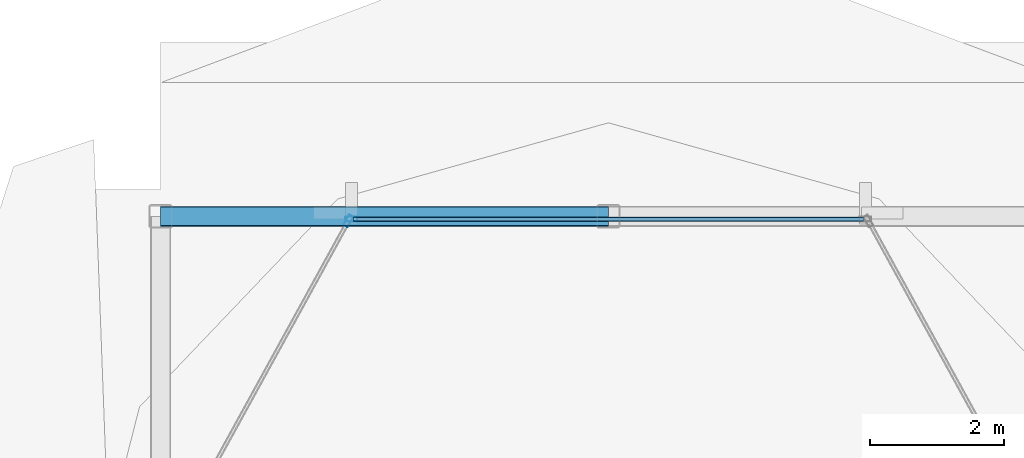
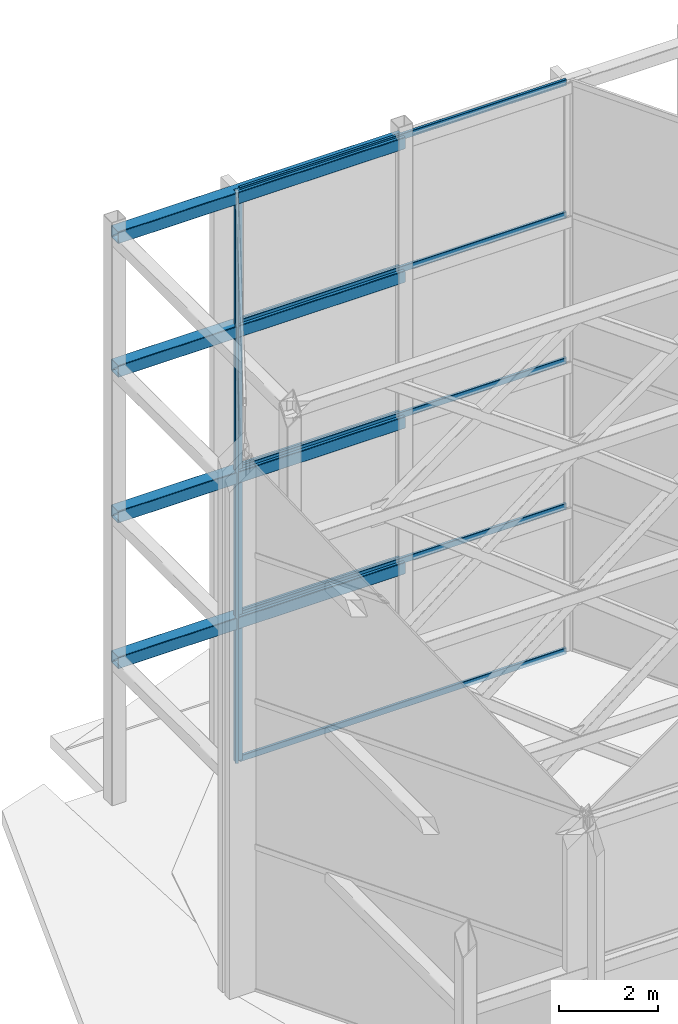
# One storey, part 20 of 24: 7 members, 4 beams, 2 elements without a shape of their own.
"""IFC4 building model written with IfcOpenShell, lengths in metres."""

from ifc_helpers import new_model, si_unit, direction, frame, origin, origin_2d, place, context, subcontext, project, spatial, hollow_rectangle, extrude, material, layer, layer_set, material_profile, profile_set, type_object, element, aggregate, save


model = new_model("IFC4")

# Units and contexts
model_context = context("Model", 3, precision=1e-05, world=origin(), true_north=direction((0.0, 1.0)))
body_context = subcontext(model_context, "Body", "Model", "MODEL_VIEW")
ifc_project = project(units=[si_unit("LENGTHUNIT", "METRE"), si_unit("AREAUNIT", "SQUARE_METRE"), si_unit("VOLUMEUNIT", "CUBIC_METRE"), si_unit("PLANEANGLEUNIT", "RADIAN"), si_unit("MASSUNIT", "GRAM", prefix="KILO")], contexts=[model_context])

# Site, building, storey
site_placement = place(None, origin())
site = spatial("IfcSite", under=ifc_project, at=site_placement, CompositionType="ELEMENT")
building_placement = place(site_placement, origin())
building = spatial("IfcBuilding", under=site, at=building_placement, Name="Solvaryn Broadcast Tower", CompositionType="ELEMENT")
storey_placement = place(building_placement, frame((0.0, 0.0, 307.800048828125)))
storey = spatial("IfcBuildingStorey", under=building, at=storey_placement, Name="Roof Main", CompositionType="ELEMENT", Elevation=307.800048828125)

# Beams
ifc_material_1 = material(Name="Steel ASTM A500 Grade C", Category="steel")
ifc_material_profile_1 = material_profile(ifc_material_1, hollow_rectangle(XDim=0.300048828125, YDim=0.300048828125, WallThickness=0.01416015625, InnerFilletRadius=0.01416015625, OuterFilletRadius=0.0283203125, at=origin_2d()))
ifc_profile_set_1 = profile_set([ifc_material_profile_1], Name="Steel ASTM A500 Grade C")
beam_type = type_object("IfcBeamType", Name="BM-CROWN-RING", PredefinedType="BEAM", material=ifc_profile_set_1)
for number, where, z_axis, x_axis, name in (
    (1, (17.89990234375, 42.39990234375, 3.449951171875), (-1.0, 0.0, 0.0), (0.0, -1.0, 0.0), "Roof Main CROWN FRAME Ring Beam WT1-6"),
    (2, (17.89990234375, 42.39990234375, 7.050048828125), (-1.0, 0.0, 0.0), (0.0, -1.0, 0.0), "Roof Main CROWN FRAME Ring Beam WT2-6"),
    (3, (17.89990234375, 42.39990234375, 10.64990234375), (-1.0, 0.0, 0.0), (0.0, -1.0, 0.0), "Roof Main CROWN FRAME Ring Beam WT3-6"),
    (4, (17.89990234375, 42.39990234375, 13.949951171875), (-1.0, 0.0, 0.0), (0.0, -1.0, 0.0), "Roof Main CROWN FRAME Ring Beam WT4-6"),
):
    element("IfcBeam", number, at=place(storey_placement, frame(where, z_axis=z_axis, x_axis=x_axis)), inside=storey, type_object=beam_type, Name=name, PredefinedType="BEAM", context=body_context, shape_type="SweptSolid", body=[
        extrude(hollow_rectangle(XDim=0.300048828125, YDim=0.300048828125, WallThickness=0.01416015625, InnerFilletRadius=0.01416015625, OuterFilletRadius=0.0283203125, at=origin_2d()), origin(), (0.0, 0.0, 1.0), 6.699951171875),
    ])

# Curtain wall, member
ifc_material_2 = material(Name="Aluminium and Terracotta Unitised Curtain Wall", Category="masonry")
ifc_layer = layer(ifc_material_2, 0.2099609375)
ifc_layer_set = layer_set([ifc_layer], Name="CW-SYS6-CROWN")
curtain_wall_type = type_object("IfcCurtainWallType", Name="CW-SYS6-CROWN", PredefinedType="NOTDEFINED", material=ifc_layer_set)
curtain_wall_1_placement = place(storey_placement, origin())
curtain_wall_1 = element("IfcCurtainWall", 5, at=curtain_wall_1_placement, inside=storey, type_object=curtain_wall_type, Name="Roof Main Split-Top Crown Curtain Wall W2", PredefinedType="NOTDEFINED")
ifc_material_3 = material(Name="Anodised Aluminium 6063-T6", Category="aluminium")
ifc_material_profile_2 = material_profile(ifc_material_3, hollow_rectangle(XDim=0.074951171875, YDim=0.179931640625, WallThickness=0.00390625, InnerFilletRadius=0.00390625, OuterFilletRadius=0.008056640625, at=origin_2d()))
ifc_profile_set_2 = profile_set([ifc_material_profile_2], Name="Anodised Aluminium 6063-T6")
member_type_1 = type_object("IfcMemberType", Name="CW-MUL-180", PredefinedType="MULLION", material=ifc_profile_set_2)
member_1_placement = place(storey_placement, frame((14.054931640625, 42.35791015625, 0.0), z_axis=(0.0, 0.0, 1.0), x_axis=(0.0, -1.0, 0.0)))
member_1 = element("IfcMember", 6, at=member_1_placement, type_object=member_type_1, Name="CWS6 mullion 2", PredefinedType="MULLION", context=body_context, shape_type="SweptSolid", body=[
    extrude(hollow_rectangle(XDim=0.074951171875, YDim=0.179931640625, WallThickness=0.00390625, InnerFilletRadius=0.00390625, OuterFilletRadius=0.008056640625, at=origin_2d()), origin(), (0.0, 0.0, 1.0), 14.099853515625),
])

curtain_wall_2_placement = place(storey_placement, origin())
curtain_wall_2 = element("IfcCurtainWall", 7, at=curtain_wall_2_placement, inside=storey, type_object=curtain_wall_type, Name="Roof Main Split-Top Crown Curtain Wall W3", PredefinedType="NOTDEFINED")
member_2_placement = place(storey_placement, frame((14.010498046875, 42.331787109375, 0.0), z_axis=(0.0, 0.0, 1.0), x_axis=(0.876577523452, -0.481260683391, 0.0)))
member_2 = element("IfcMember", 8, at=member_2_placement, type_object=member_type_1, Name="CWS6 mullion 1", PredefinedType="MULLION", context=body_context, shape_type="SweptSolid", body=[
    extrude(hollow_rectangle(XDim=0.074951171875, YDim=0.179931640625, WallThickness=0.00390625, InnerFilletRadius=0.00390625, OuterFilletRadius=0.008056640625, at=origin_2d()), origin(), (0.0, 0.0, 1.0), 14.099853515625),
])
aggregate(curtain_wall_2, [member_2])

# Member
ifc_material_4 = material(Name="Anodised Aluminium 6063-T6", Category="aluminium")
ifc_material_profile_3 = material_profile(ifc_material_4, hollow_rectangle(XDim=0.06494140625, YDim=0.14990234375, WallThickness=0.00390625, InnerFilletRadius=0.00390625, OuterFilletRadius=0.008056640625, at=origin_2d()))
ifc_profile_set_3 = profile_set([ifc_material_profile_3], Name="Anodised Aluminium 6063-T6")
member_type_2 = type_object("IfcMemberType", Name="CW-TRN-150", PredefinedType="USERDEFINED", material=ifc_profile_set_3)
member_3_placement = place(storey_placement, frame((21.715087890625, 42.35791015625, 0.030029296875), z_axis=(-1.0, 0.0, 0.0), x_axis=(0.0, -1.0, 0.0)))
member_3 = element("IfcMember", 9, at=member_3_placement, type_object=member_type_2, Name="CWS6 transom 1.1", ObjectType="TRANSOM", PredefinedType="USERDEFINED", context=body_context, shape_type="SweptSolid", body=[
    extrude(hollow_rectangle(XDim=0.06494140625, YDim=0.14990234375, WallThickness=0.00390625, InnerFilletRadius=0.00390625, OuterFilletRadius=0.008056640625, at=origin_2d()), origin(), (0.0, 0.0, 1.0), 7.630126953125),
])

member_4_placement = place(storey_placement, frame((21.715087890625, 42.35791015625, 3.599853515625), z_axis=(-1.0, 0.0, 0.0), x_axis=(0.0, -1.0, 0.0)))
member_4 = element("IfcMember", 10, at=member_4_placement, type_object=member_type_2, Name="CWS6 transom 1.2", ObjectType="TRANSOM", PredefinedType="USERDEFINED", context=body_context, shape_type="SweptSolid", body=[
    extrude(hollow_rectangle(XDim=0.06494140625, YDim=0.14990234375, WallThickness=0.00390625, InnerFilletRadius=0.00390625, OuterFilletRadius=0.008056640625, at=origin_2d()), origin(), (0.0, 0.0, 1.0), 7.630126953125),
])

member_5_placement = place(storey_placement, frame((21.715087890625, 42.35791015625, 7.199951171875), z_axis=(-1.0, 0.0, 0.0), x_axis=(0.0, -1.0, 0.0)))
member_5 = element("IfcMember", 11, at=member_5_placement, type_object=member_type_2, Name="CWS6 transom 1.3", ObjectType="TRANSOM", PredefinedType="USERDEFINED", context=body_context, shape_type="SweptSolid", body=[
    extrude(hollow_rectangle(XDim=0.06494140625, YDim=0.14990234375, WallThickness=0.00390625, InnerFilletRadius=0.00390625, OuterFilletRadius=0.008056640625, at=origin_2d()), origin(), (0.0, 0.0, 1.0), 7.630126953125),
])

member_6_placement = place(storey_placement, frame((21.715087890625, 42.35791015625, 10.800048828125), z_axis=(-1.0, 0.0, 0.0), x_axis=(0.0, -1.0, 0.0)))
member_6 = element("IfcMember", 12, at=member_6_placement, type_object=member_type_2, Name="CWS6 transom 1.4", ObjectType="TRANSOM", PredefinedType="USERDEFINED", context=body_context, shape_type="SweptSolid", body=[
    extrude(hollow_rectangle(XDim=0.06494140625, YDim=0.14990234375, WallThickness=0.00390625, InnerFilletRadius=0.00390625, OuterFilletRadius=0.008056640625, at=origin_2d()), origin(), (0.0, 0.0, 1.0), 7.630126953125),
])

member_7_placement = place(storey_placement, frame((21.715087890625, 42.35791015625, 14.070068359375), z_axis=(-1.0, 0.0, 0.0), x_axis=(0.0, -1.0, 0.0)))
member_7 = element("IfcMember", 13, at=member_7_placement, type_object=member_type_2, Name="CWS6 transom 1.5", ObjectType="TRANSOM", PredefinedType="USERDEFINED", context=body_context, shape_type="SweptSolid", body=[
    extrude(hollow_rectangle(XDim=0.06494140625, YDim=0.14990234375, WallThickness=0.00390625, InnerFilletRadius=0.00390625, OuterFilletRadius=0.008056640625, at=origin_2d()), origin(), (0.0, 0.0, 1.0), 7.630126953125),
])

aggregate(curtain_wall_1, [member_1, member_3, member_4, member_5, member_6, member_7])

save(model, "model.ifc")
